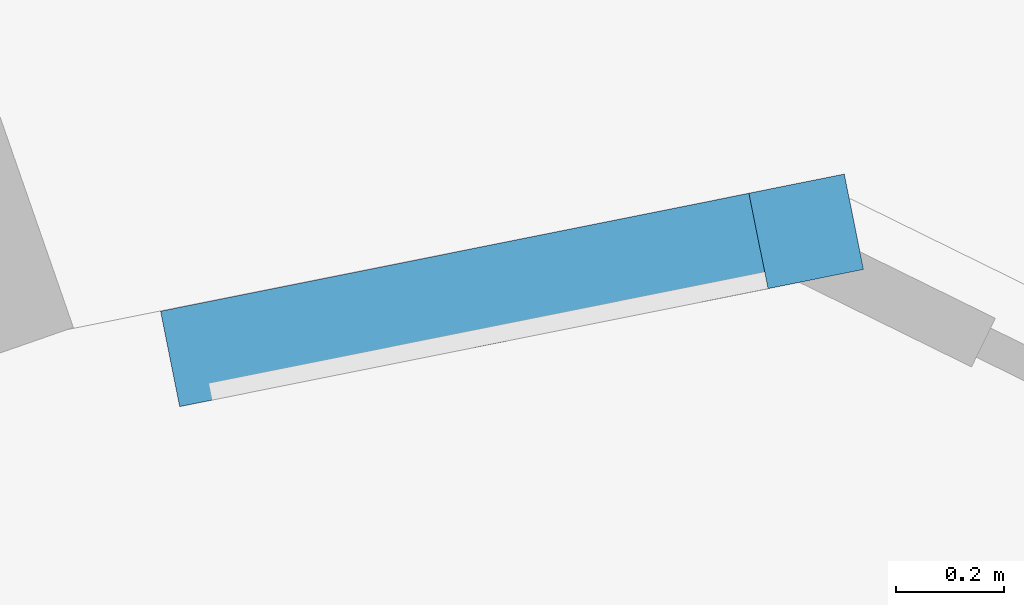
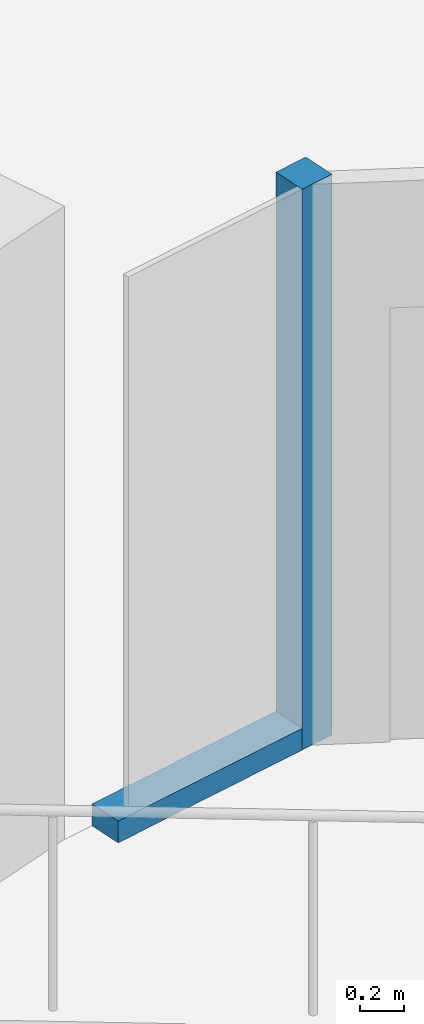
# One storey, part 5 of 32: 2 members, 1 element without a shape of its own.
"""IFC4 building model written with IfcOpenShell, lengths in metres."""

from ifc_helpers import new_model, si_unit, direction, frame, origin, origin_2d, place, context, subcontext, project, spatial, rectangle, extrude, material, material_profile, profile_set, type_object, element, aggregate, save


model = new_model("IFC4")

# Units and contexts
model_context = context("Model", 3, precision=1e-05, world=origin(), true_north=direction((0.0, 1.0)))
body_context = subcontext(model_context, "Body", "Model", "MODEL_VIEW")
ifc_project = project(units=[si_unit("LENGTHUNIT", "METRE"), si_unit("AREAUNIT", "SQUARE_METRE"), si_unit("VOLUMEUNIT", "CUBIC_METRE"), si_unit("PLANEANGLEUNIT", "RADIAN"), si_unit("MASSUNIT", "GRAM", prefix="KILO")], contexts=[model_context])

# Site, building, storey
site_placement = place(None, origin())
site = spatial("IfcSite", under=ifc_project, at=site_placement, CompositionType="ELEMENT")
building_placement = place(site_placement, origin())
building = spatial("IfcBuilding", under=site, at=building_placement, Name="Orlundy Tower", CompositionType="ELEMENT")
storey_placement = place(building_placement, frame((0.0, 0.0, 58.800048828125)))
storey = spatial("IfcBuildingStorey", under=building, at=storey_placement, Name="L13", CompositionType="ELEMENT", Elevation=58.800048828125)

# Curtain wall, members
ifc_material_1 = material(Name="Aluminium bronze anodised", Category="aluminium")
curtain_wall_type = type_object("IfcCurtainWallType", Name="CW1 wall", PredefinedType="NOTDEFINED", material=ifc_material_1)
curtain_wall_placement = place(storey_placement, origin())
curtain_wall = element("IfcCurtainWall", 1, at=curtain_wall_placement, inside=storey, type_object=curtain_wall_type, Name="CW1 run 01", PredefinedType="NOTDEFINED")
ifc_material_2 = material(Name="Aluminium bronze anodised", Category="aluminium")
ifc_material_profile_1 = material_profile(ifc_material_2, rectangle(XDim=0.179931640625, YDim=0.179931640625, at=origin_2d()), Name="CW1 corner post 180x180")
ifc_profile_set_1 = profile_set([ifc_material_profile_1], Name="Aluminium bronze anodised")
member_type_1 = type_object("IfcMemberType", Name="CW1 corner post 180x180", PredefinedType="MULLION", material=ifc_profile_set_1)
member_1_placement = place(storey_placement, frame((12.004638671875, -28.2822265625, 0.0), z_axis=(0.0, 0.0, 1.0), x_axis=(0.196531950572, -0.980497420907, 0.0)))
member_1 = element("IfcMember", 2, at=member_1_placement, type_object=member_type_1, Name="CW1 mullion 7", PredefinedType="MULLION", context=body_context, shape_type="SweptSolid", body=[
    extrude(rectangle(XDim=0.179931640625, YDim=0.179931640625, at=origin_2d()), origin(), (0.0, 0.0, 1.0), 3.099853515625),
])
ifc_material_3 = material(Name="Aluminium bronze anodised", Category="aluminium")
ifc_material_profile_2 = material_profile(ifc_material_3, rectangle(XDim=0.179931640625, YDim=0.1201171875, at=origin_2d()), Name="CW1 transom 180x120")
ifc_profile_set_2 = profile_set([ifc_material_profile_2], Name="Aluminium bronze anodised")
member_type_2 = type_object("IfcMemberType", Name="CW1 transom 180x120", PredefinedType="USERDEFINED", material=ifc_profile_set_2)
member_2_placement = place(storey_placement, frame((11.91650390625, -28.300048828125, 0.06005859375), z_axis=(-0.980512926843, -0.19645457565, 0.0), x_axis=(0.19645457565, -0.980512926843, 0.0)))
member_2 = element("IfcMember", 3, at=member_2_placement, type_object=member_type_2, Name="CW1 transom", ObjectType="TRANSOM", PredefinedType="USERDEFINED", context=body_context, shape_type="SweptSolid", body=[
    extrude(rectangle(XDim=0.179931640625, YDim=0.1201171875, at=origin_2d()), origin(), (0.0, 0.0, 1.0), 1.10986328125),
])
aggregate(curtain_wall, [member_1, member_2])

save(model, "model.ifc")
